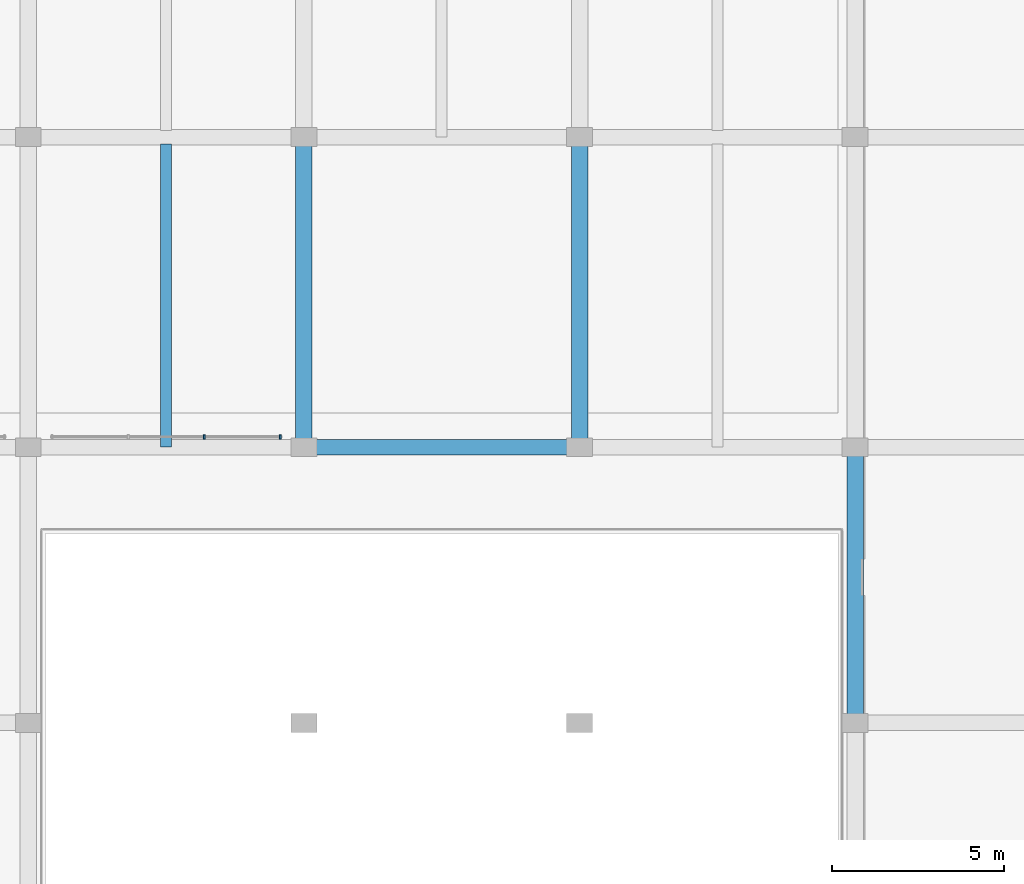
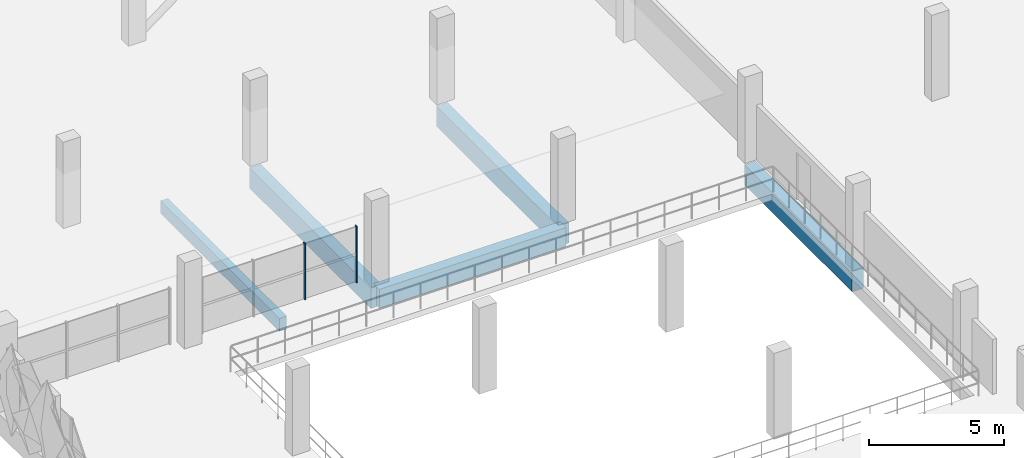
# One storey, part 52 of 123: 5 beams, 2 members, 1 element without a shape of its own.
"""IFC4 building model written with IfcOpenShell, lengths in metres."""

from ifc_helpers import new_model, si_unit, derived_unit, direction, frame, origin, origin_2d, place, context, subcontext, project, spatial, rectangle, extrude, material, layer, layer_set, material_profile, profile_set, type_object, element, aggregate, save


model = new_model("IFC4")

# Units and contexts
model_context = context("Model", 3, precision=1e-05, world=origin(), true_north=direction((0.0, 1.0)))
body_context = subcontext(model_context, "Body", "Model", "MODEL_VIEW")
ifc_project = project(units=[si_unit("LENGTHUNIT", "METRE"), si_unit("AREAUNIT", "SQUARE_METRE"), si_unit("VOLUMEUNIT", "CUBIC_METRE"), si_unit("PLANEANGLEUNIT", "RADIAN"), si_unit("MASSUNIT", "GRAM", prefix="KILO"), si_unit("THERMODYNAMICTEMPERATUREUNIT", "KELVIN"), derived_unit("THERMALTRANSMITTANCEUNIT", [(si_unit("POWERUNIT", "WATT"), 1), (si_unit("AREAUNIT", "SQUARE_METRE"), -1), (si_unit("THERMODYNAMICTEMPERATUREUNIT", "KELVIN"), -1)])], contexts=[model_context])

# Site, building, storey
site_placement = place(None, origin())
site = spatial("IfcSite", under=ifc_project, at=site_placement, CompositionType="ELEMENT")
building_placement = place(site_placement, origin())
building = spatial("IfcBuilding", under=site, at=building_placement, Name="Haiyu Intermodal Mobility Hub", CompositionType="ELEMENT")
storey_placement = place(building_placement, frame((0.0, 0.0, 5.60009765625)))
storey = spatial("IfcBuildingStorey", under=building, at=storey_placement, Name="L01", CompositionType="ELEMENT", Elevation=5.60009765625)

# Beams
ifc_material_1 = material(Name="Concrete C40", Category="concrete")
ifc_material_profile_1 = material_profile(ifc_material_1, rectangle(XDim=0.449951171875, YDim=0.85009765625, at=origin_2d()), Name="RCB450x850")
ifc_profile_set_1 = profile_set([ifc_material_profile_1], Name="Concrete C40")
beam_type_1 = type_object("IfcBeamType", Name="BM-CB02", PredefinedType="BEAM", material=ifc_profile_set_1)
beam_1_placement = place(storey_placement, frame((178.0, 104.0, -0.68505859375), z_axis=(1.0, 0.0, 0.0), x_axis=(0.0, 1.0, 0.0)))
element("IfcBeam", 1, at=beam_1_placement, inside=storey, type_object=beam_type_1, Name="BM-V6G-L01-021", PredefinedType="BEAM", context=body_context, shape_type="SweptSolid", body=[
    extrude(rectangle(XDim=0.449951171875, YDim=0.85009765625, at=origin_2d()), origin(), (0.0, 0.0, 1.0), 8.0),
])
ifc_material_profile_2 = material_profile(ifc_material_1, rectangle(XDim=0.47998046875, YDim=0.919921875, at=origin_2d()), Name="B480x920")
ifc_profile_set_2 = profile_set([ifc_material_profile_2], Name="Concrete C40")
beam_type_2 = type_object("IfcBeamType", Name="BM-CB13", PredefinedType="BEAM", material=ifc_profile_set_2)
for number, where, z_axis, x_axis, name in (
    (2, (178.0, 104.0, -0.72021484375), (0.0, 1.0, 0.0), (-1.0, 0.0, 0.0), "BM-V6T-L01-020"),
    (3, (186.0, 104.0, -0.72021484375), (0.0, 1.0, 0.0), (-1.0, 0.0, 0.0), "BM-V6T-L01-028"),
):
    element("IfcBeam", number, at=place(storey_placement, frame(where, z_axis=z_axis, x_axis=x_axis)), inside=storey, type_object=beam_type_2, Name=name, PredefinedType="BEAM", context=body_context, shape_type="SweptSolid", body=[
        extrude(rectangle(XDim=0.47998046875, YDim=0.919921875, at=origin_2d()), origin(), (0.0, 0.0, 1.0), 9.0),
    ])
beam_2_placement = place(storey_placement, frame((194.0, 96.0, -0.72021484375), z_axis=(0.0, 1.0, 0.0), x_axis=(-1.0, 0.0, 0.0)))
element("IfcBeam", 4, at=beam_2_placement, inside=storey, type_object=beam_type_2, Name="BM-V6T-L01-035", PredefinedType="BEAM", context=body_context, shape_type="SweptSolid", body=[
    extrude(rectangle(XDim=0.47998046875, YDim=0.919921875, at=origin_2d()), origin(), (0.0, 0.0, 1.0), 8.0),
])
ifc_material_profile_3 = material_profile(ifc_material_1, rectangle(XDim=0.320068359375, YDim=0.580078125, at=origin_2d()), Name="B320x580")
ifc_profile_set_3 = profile_set([ifc_material_profile_3], Name="Concrete C40")
beam_type_3 = type_object("IfcBeamType", Name="BM-CB17", PredefinedType="JOIST", material=ifc_profile_set_3)
beam_3_placement = place(storey_placement, frame((174.0, 104.0, -0.550048828125), z_axis=(0.0, 1.0, 0.0), x_axis=(-1.0, 0.0, 0.0)))
element("IfcBeam", 5, at=beam_3_placement, inside=storey, type_object=beam_type_3, Name="BM-V6J-L01-012", PredefinedType="JOIST", context=body_context, shape_type="SweptSolid", body=[
    extrude(rectangle(XDim=0.320068359375, YDim=0.580078125, at=origin_2d()), origin(), (0.0, 0.0, 1.0), 8.804931640625),
])

# Curtain wall, members
ifc_material_2 = material(Name="Low-e laminated insulating glass", Category="glass")
ifc_layer = layer(ifc_material_2, 0.179931640625)
ifc_layer_set = layer_set([ifc_layer], Name="Low-e laminated insulating glass")
curtain_wall_type = type_object("IfcCurtainWallType", Name="CW-CW06", PredefinedType="NOTDEFINED", material=ifc_layer_set)
curtain_wall_placement = place(storey_placement, origin())
curtain_wall = element("IfcCurtainWall", 6, at=curtain_wall_placement, inside=storey, type_object=curtain_wall_type, Name="Curtain Wall CW-INT-04", PredefinedType="NOTDEFINED")
ifc_material_3 = material(Name="Anodised aluminium 6063-T6", Category="aluminium")
ifc_material_profile_4 = material_profile(ifc_material_3, rectangle(XDim=0.054931640625, YDim=0.125, at=origin_2d()), Name="ALU55x125")
ifc_profile_set_4 = profile_set([ifc_material_profile_4], Name="Anodised aluminium 6063-T6")
member_type = type_object("IfcMemberType", Name="CWM-ML04", PredefinedType="MULLION", material=ifc_profile_set_4)
member_1_placement = place(storey_placement, frame((175.10302734375, 104.300048828125, 0.0), z_axis=(0.0, 0.0, 1.0), x_axis=(1.0, 0.0, 0.0)))
member_1 = element("IfcMember", 7, at=member_1_placement, type_object=member_type, Name="CW-INT-04-ML03", PredefinedType="MULLION", context=body_context, shape_type="SweptSolid", body=[
    extrude(rectangle(XDim=0.054931640625, YDim=0.125, at=origin_2d()), origin(), (0.0, 0.0, 1.0), 2.5498046875),
])
member_2_placement = place(storey_placement, frame((177.31005859375, 104.300048828125, 0.0), z_axis=(0.0, 0.0, 1.0), x_axis=(1.0, 0.0, 0.0)))
member_2 = element("IfcMember", 8, at=member_2_placement, type_object=member_type, Name="CW-INT-04-ML04", PredefinedType="MULLION", context=body_context, shape_type="SweptSolid", body=[
    extrude(rectangle(XDim=0.054931640625, YDim=0.125, at=origin_2d()), origin(), (0.0, 0.0, 1.0), 2.5498046875),
])
aggregate(curtain_wall, [member_1, member_2])

save(model, "model.ifc")
